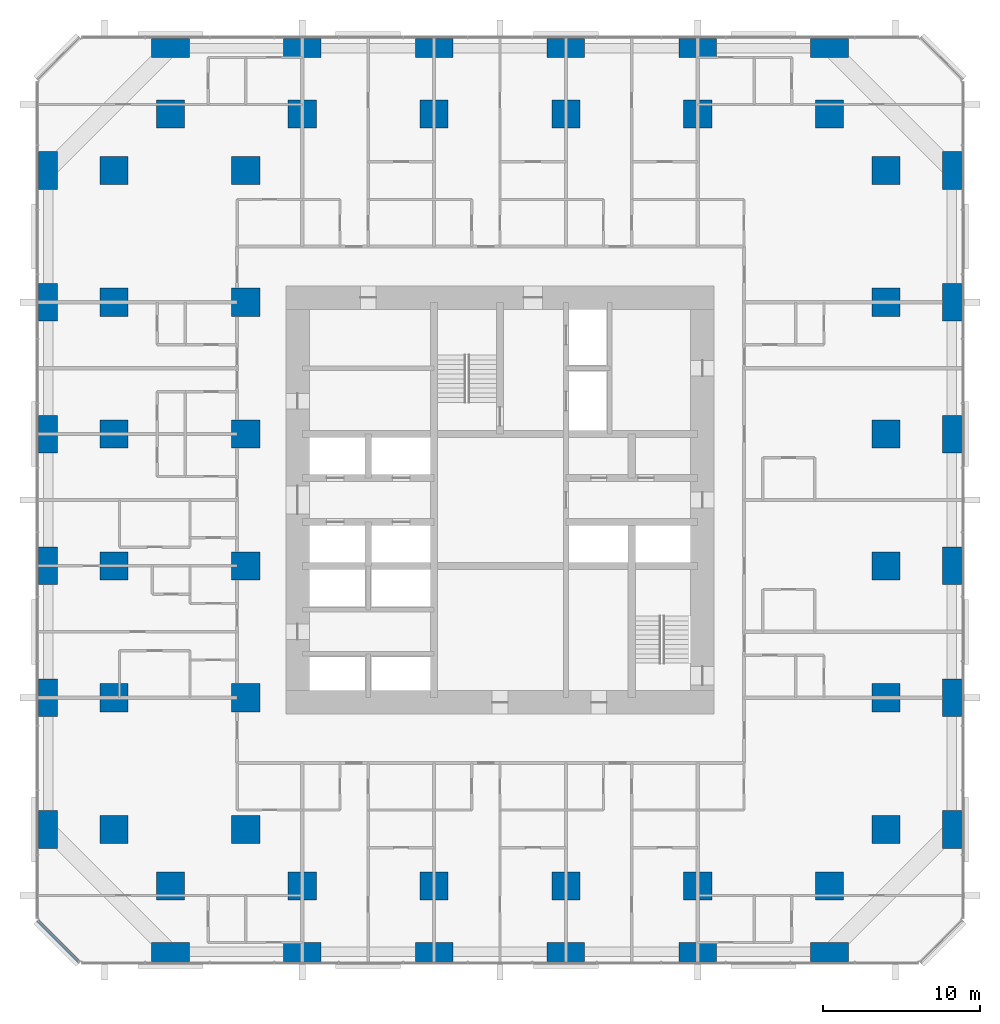
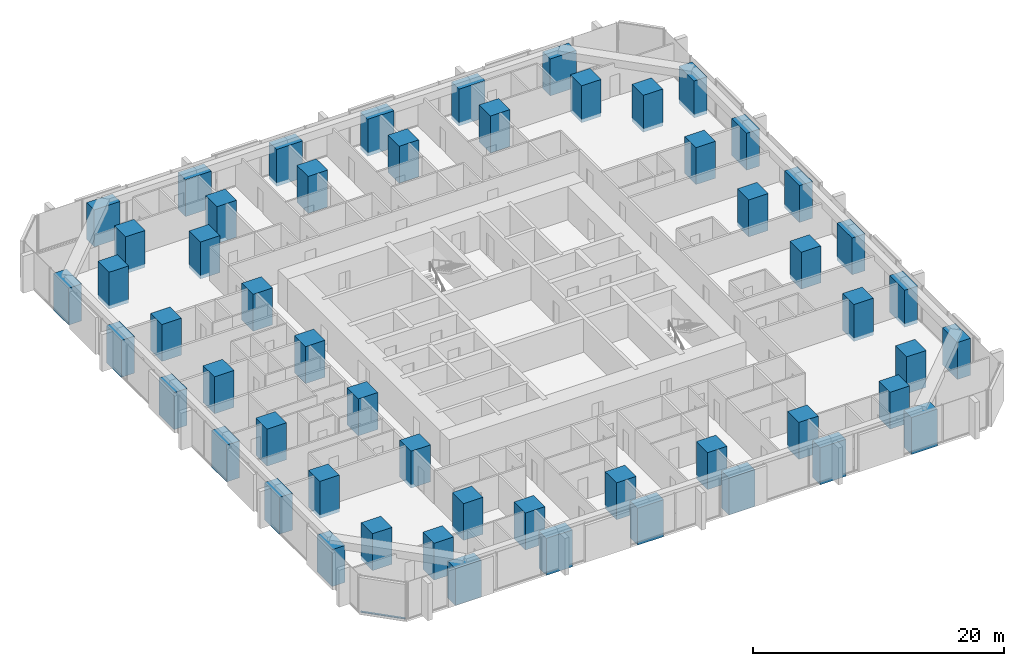
# One storey, part 1 of 17: 54 columns, 1 member, 1 element without a shape of its own.
"""IFC4 building model written with IfcOpenShell, lengths in metres."""

import ifcopenshell
import ifcopenshell.guid

model = None  # the IFC model being written
_history = None  # IfcOwnerHistory: only IFC2X3 demands one
_inside = {}  # id of a spatial element -> (the spatial element, [elements in it])
_under = {}  # id of a project, library or spatial element -> (it, [spatial elements below it])
_declared = {}  # id of a project -> (the project, [libraries it declares])
_typed = {}  # id of a type object -> (the type object, [elements of that type])
_made_of = {}  # id of a material, layer set ... -> (it, [elements and type objects made of it])


def new_model(schema):
    """Start an empty IFC model of exactly this schema.

    Asked for "IFC4X3", IfcOpenShell would pick the latest addendum, in which some entities
    have other attributes; the version numbers below select the first issue.
    IFC2X3 requires an IfcOwnerHistory on every rooted entity: one is made here for all.
    """
    global model, _history
    if schema == "IFC4X3":
        model = ifcopenshell.file(schema_version=(4, 3, 0, 0))
    else:
        model = ifcopenshell.file(schema=schema)
    _inside.clear()
    _under.clear()
    _declared.clear()
    _typed.clear()
    _made_of.clear()
    _history = None
    if model.schema == "IFC2X3":
        org = make("IfcOrganization", Name="unknown")
        user = make(
            "IfcPersonAndOrganization",
            ThePerson=make("IfcPerson", FamilyName="unknown"),
            TheOrganization=org,
        )
        app = make(
            "IfcApplication",
            ApplicationDeveloper=org,
            Version="unknown",
            ApplicationFullName="unknown",
            ApplicationIdentifier="unknown",
        )
        _history = make(
            "IfcOwnerHistory",
            OwningUser=user,
            OwningApplication=app,
            ChangeAction="ADDED",
            CreationDate=0,
        )
    return model


def make(cls, **values):
    """One entity of the class cls with the attributes given. An attribute that is None is left unset."""
    return model.create_entity(
        cls, **{name: value for name, value in values.items() if value is not None}
    )


def rooted(cls, **values):
    """An entity with a GlobalId (a new one), such as an element, a storey or a relation."""
    return make(cls, GlobalId=ifcopenshell.guid.new(), OwnerHistory=_history, **values)


def si_unit(unit_type, name, prefix=None):
    """IfcSIUnit, for example si_unit("LENGTHUNIT", "METRE", prefix="MILLI")."""
    return make("IfcSIUnit", UnitType=unit_type, Prefix=prefix, Name=name)


def assignment(units):
    """IfcUnitAssignment: the units of a project."""
    return None if units is None else make("IfcUnitAssignment", Units=units)


def point(xyz):
    """IfcCartesianPoint."""
    return None if xyz is None else make("IfcCartesianPoint", Coordinates=xyz)


def direction(xyz):
    """IfcDirection."""
    return None if xyz is None else make("IfcDirection", DirectionRatios=xyz)


def frame(location, z_axis=None, x_axis=None):
    """IfcAxis2Placement3D, a coordinate frame: its origin and axes. An axis left out is left unset."""
    return make(
        "IfcAxis2Placement3D",
        Location=point(location),
        Axis=direction(z_axis),
        RefDirection=direction(x_axis),
    )


def frame_2d(location, x_axis=None):
    """IfcAxis2Placement2D, a coordinate frame in the plane: its origin and x axis."""
    return make(
        "IfcAxis2Placement2D", Location=point(location), RefDirection=direction(x_axis)
    )


def origin():
    """The frame at (0, 0, 0) with its axes left unset."""
    return frame((0.0, 0.0, 0.0))


def origin_2d():
    """The frame at (0, 0) in the plane with its x axis left unset."""
    return frame_2d((0.0, 0.0))


def place(relative_to, where):
    """IfcLocalPlacement: puts the frame where relative to a parent placement (None: the world)."""
    return make(
        "IfcLocalPlacement", PlacementRelTo=relative_to, RelativePlacement=where
    )


def context(
    kind, dimensions, precision=None, world=None, true_north=None, identifier=None
):
    """IfcGeometricRepresentationContext, for example the 3D "Model" context."""
    return make(
        "IfcGeometricRepresentationContext",
        ContextIdentifier=identifier,
        ContextType=kind,
        CoordinateSpaceDimension=dimensions,
        Precision=precision,
        WorldCoordinateSystem=world,
        TrueNorth=true_north,
    )


def subcontext(parent, identifier, kind, view, scale=None):
    """IfcGeometricRepresentationSubContext, for example "Body" below "Model"."""
    return make(
        "IfcGeometricRepresentationSubContext",
        ContextIdentifier=identifier,
        ContextType=kind,
        ParentContext=parent,
        TargetScale=scale,
        TargetView=view,
    )


def project(units=None, contexts=None):
    """IfcProject with its units and contexts."""
    return rooted(
        "IfcProject",
        Name="project",
        RepresentationContexts=contexts,
        UnitsInContext=assignment(units),
    )


def spatial(cls, under=None, at=None, **own):
    """A site, building, storey or space (cls), placed at a placement, below another one or the project."""
    s = rooted(cls, ObjectPlacement=at, **own)
    if under is not None:
        _under.setdefault(under.id(), (under, []))[1].append(s)
    return s


def profile(cls, at=None, kind="AREA", **sizes):
    """A parametric profile (cls). Its sizes go by their IFC names, for example OverallWidth=200.0."""
    return make(cls, ProfileType=kind, Position=at, **sizes)


def rectangle(**sizes):
    """IfcRectangleProfileDef."""
    return profile("IfcRectangleProfileDef", **sizes)


def extrude(swept, where, along, depth):
    """IfcExtrudedAreaSolid: the profile swept, set in the frame where, extruded along a direction by depth."""
    return make(
        "IfcExtrudedAreaSolid",
        SweptArea=swept,
        Position=where,
        ExtrudedDirection=direction(along),
        Depth=depth,
    )


def shape(context_of_items, identifier, shape_type, items):
    """IfcShapeRepresentation: the items that make up one representation, for example the "Body"."""
    return make(
        "IfcShapeRepresentation",
        ContextOfItems=context_of_items,
        RepresentationIdentifier=identifier,
        RepresentationType=shape_type,
        Items=items,
    )


def material(Name=None, Category=None):
    """IfcMaterial."""
    return make("IfcMaterial", Name=Name, Category=Category)


def material_profile(
    of_material, cross_section, Name=None, Category=None, Priority=None
):
    """IfcMaterialProfile: a cross section and its material."""
    return make(
        "IfcMaterialProfile",
        Name=Name,
        Material=of_material,
        Profile=cross_section,
        Priority=Priority,
        Category=Category,
    )


def profile_set(profiles, Name=None, composite=None):
    """IfcMaterialProfileSet."""
    return make(
        "IfcMaterialProfileSet",
        Name=Name,
        MaterialProfiles=profiles,
        CompositeProfile=composite,
    )


def made_of(thing, what):
    """Note that an element or type object is made of a material, layer set ...; save() writes the relation."""
    if what is not None:
        _made_of.setdefault(what.id(), (what, []))[1].append(thing)
    return thing


def type_object(cls, material=None, **own):
    """A type object (cls), such as IfcWallType, which elements share."""
    return made_of(rooted(cls, **own), material)


def element(
    cls,
    number,
    at=None,
    inside=None,
    cuts=None,
    type_object=None,
    material=None,
    context=None,
    identifier="Body",
    shape_type=None,
    held_by="IfcProductDefinitionShape",
    body=None,
    shapes=None,
    **own,
):
    """One element of the class cls, such as IfcWall. Its Tag is "e" and its number.

    at: its placement. inside: the storey or other place that contains it. cuts: it is an
    opening in that element (IfcRelVoidsElement). A single representation is given by context,
    identifier, shape_type and body (its items); several are given by shapes. held_by: the class
    of the entity that holds the representations. save() writes the other relations.
    """
    e = rooted(cls, Tag="e%d" % number, ObjectPlacement=at, **own)
    if body is not None:
        shapes = [shape(context, identifier, shape_type, body)]
    if shapes is not None:
        e.Representation = make(held_by, Representations=shapes)
    if inside is not None:
        _inside.setdefault(inside.id(), (inside, []))[1].append(e)
    if cuts is not None:
        rooted(
            "IfcRelVoidsElement", RelatingBuildingElement=cuts, RelatedOpeningElement=e
        )
    if type_object is not None:
        _typed.setdefault(type_object.id(), (type_object, []))[1].append(e)
    return made_of(e, material)


def aggregate(whole, parts):
    """IfcRelAggregates: a whole, such as a stair, and the parts it consists of."""
    return rooted("IfcRelAggregates", RelatingObject=whole, RelatedObjects=parts)


def save(model, path):
    """Write the relations noted so far, then the file.

    IfcRelAggregates (storeys below a building ...), IfcRelContainedInSpatialStructure (elements
    in a storey), IfcRelDefinesByType, IfcRelAssociatesMaterial and IfcRelDeclares: one each for
    every whole, place, type object, material and project.
    """
    for whole, parts in _under.values():
        aggregate(whole, parts)
    for where, things in _inside.values():
        rooted(
            "IfcRelContainedInSpatialStructure",
            RelatedElements=things,
            RelatingStructure=where,
        )
    for kind, things in _typed.values():
        rooted("IfcRelDefinesByType", RelatedObjects=things, RelatingType=kind)
    for what, things in _made_of.values():
        rooted("IfcRelAssociatesMaterial", RelatedObjects=things, RelatingMaterial=what)
    for by, libraries in _declared.values():
        rooted("IfcRelDeclares", RelatingContext=by, RelatedDefinitions=libraries)
    model.write(path)


model = new_model("IFC4")

# Units and contexts
model_context = context("Model", 3, precision=1e-05, world=origin(), true_north=direction((0.0, 1.0)))
body_context = subcontext(model_context, "Body", "Model", "MODEL_VIEW")
ifc_project = project(units=[si_unit("LENGTHUNIT", "METRE"), si_unit("AREAUNIT", "SQUARE_METRE"), si_unit("VOLUMEUNIT", "CUBIC_METRE"), si_unit("PLANEANGLEUNIT", "RADIAN"), si_unit("MASSUNIT", "GRAM", prefix="KILO")], contexts=[model_context])

# Site, building, storey
site_placement = place(None, origin())
site = spatial("IfcSite", under=ifc_project, at=site_placement, CompositionType="ELEMENT")
building_placement = place(site_placement, origin())
building = spatial("IfcBuilding", under=site, at=building_placement, Name="Dunama Terrace Hotel", CompositionType="ELEMENT")
storey_placement = place(building_placement, frame((0.0, 0.0, 52.199951171875)))
storey = spatial("IfcBuildingStorey", under=building, at=storey_placement, Name="L12", CompositionType="ELEMENT", Elevation=52.199951171875)

# Columns
ifc_material_1 = material(Name="Concrete C60/75", Category="concrete")
ifc_material_profile_1 = material_profile(ifc_material_1, rectangle(XDim=1.199951171875, YDim=2.39990234375, at=origin_2d()), Name="RC 1200x2400")
ifc_profile_set_1 = profile_set([ifc_material_profile_1], Name="Concrete C60/75")
column_type_1 = type_object("IfcColumnType", Name="Column RC 1200x2400", PredefinedType="COLUMN", material=ifc_profile_set_1)
for number, where, z_axis, x_axis, name in (
    (1, (0.60009765625, 8.39990234375, -0.349853515625), (0.0, 0.0, 1.0), (1.0, 0.0, 0.0), "Column L12 +0.6/+8.4"),
    (2, (0.60009765625, 16.800048828125, -0.349853515625), (0.0, 0.0, 1.0), (1.0, 0.0, 0.0), "Column L12 +0.6/+16.8"),
    (3, (0.60009765625, 25.199951171875, -0.349853515625), (0.0, 0.0, 1.0), (1.0, 0.0, 0.0), "Column L12 +0.6/+25.2"),
    (4, (0.60009765625, 33.60009765625, -0.349853515625), (0.0, 0.0, 1.0), (1.0, 0.0, 0.0), "Column L12 +0.6/+33.6"),
    (5, (0.60009765625, 42.0, -0.349853515625), (0.0, 0.0, 1.0), (1.0, 0.0, 0.0), "Column L12 +0.6/+42.0"),
    (6, (0.60009765625, 50.39990234375, -0.349853515625), (0.0, 0.0, 1.0), (1.0, 0.0, 0.0), "Column L12 +0.6/+50.4"),
    (7, (58.199951171875, 8.39990234375, -0.349853515625), (0.0, 0.0, 1.0), (1.0, 0.0, 0.0), "Column L12 +58.2/+8.4"),
    (8, (58.199951171875, 16.800048828125, -0.349853515625), (0.0, 0.0, 1.0), (1.0, 0.0, 0.0), "Column L12 +58.2/+16.8"),
    (9, (58.199951171875, 25.199951171875, -0.349853515625), (0.0, 0.0, 1.0), (1.0, 0.0, 0.0), "Column L12 +58.2/+25.2"),
    (10, (58.199951171875, 33.60009765625, -0.349853515625), (0.0, 0.0, 1.0), (1.0, 0.0, 0.0), "Column L12 +58.2/+33.6"),
    (11, (58.199951171875, 42.0, -0.349853515625), (0.0, 0.0, 1.0), (1.0, 0.0, 0.0), "Column L12 +58.2/+42.0"),
    (12, (58.199951171875, 50.39990234375, -0.349853515625), (0.0, 0.0, 1.0), (1.0, 0.0, 0.0), "Column L12 +58.2/+50.4"),
):
    element("IfcColumn", number, at=place(storey_placement, frame(where, z_axis=z_axis, x_axis=x_axis)), inside=storey, type_object=column_type_1, Name=name, PredefinedType="COLUMN", context=body_context, shape_type="SweptSolid", body=[
        extrude(rectangle(XDim=1.199951171875, YDim=2.39990234375, at=origin_2d()), origin(), (0.0, 0.0, 1.0), 3.599853515625),
    ])
ifc_material_2 = material(Name="Concrete C60/75", Category="concrete")
ifc_material_profile_2 = material_profile(ifc_material_2, rectangle(XDim=1.800048828125, YDim=1.800048828125, at=origin_2d()), Name="RC 1800x1800")
ifc_profile_set_2 = profile_set([ifc_material_profile_2], Name="Concrete C60/75")
column_type_2 = type_object("IfcColumnType", Name="Column RC 1800x1800", PredefinedType="COLUMN", material=ifc_profile_set_2)
for number, where, z_axis, x_axis, name in (
    (13, (4.800048828125, 8.39990234375, -0.349853515625), (0.0, 0.0, 1.0), (1.0, 0.0, 0.0), "Column L12 +4.8/+8.4"),
    (14, (4.800048828125, 16.800048828125, -0.349853515625), (0.0, 0.0, 1.0), (1.0, 0.0, 0.0), "Column L12 +4.8/+16.8"),
    (15, (4.800048828125, 25.199951171875, -0.349853515625), (0.0, 0.0, 1.0), (1.0, 0.0, 0.0), "Column L12 +4.8/+25.2"),
    (16, (4.800048828125, 33.60009765625, -0.349853515625), (0.0, 0.0, 1.0), (1.0, 0.0, 0.0), "Column L12 +4.8/+33.6"),
    (17, (4.800048828125, 42.0, -0.349853515625), (0.0, 0.0, 1.0), (1.0, 0.0, 0.0), "Column L12 +4.8/+42.0"),
    (18, (4.800048828125, 50.39990234375, -0.349853515625), (0.0, 0.0, 1.0), (1.0, 0.0, 0.0), "Column L12 +4.8/+50.4"),
    (19, (8.39990234375, 4.800048828125, -0.349853515625), (0.0, 0.0, 1.0), (1.0, 0.0, 0.0), "Column L12 +8.4/+4.8"),
    (20, (8.39990234375, 54.0, -0.349853515625), (0.0, 0.0, 1.0), (1.0, 0.0, 0.0), "Column L12 +8.4/+54.0"),
    (21, (13.199951171875, 8.39990234375, -0.349853515625), (0.0, 0.0, 1.0), (1.0, 0.0, 0.0), "Column L12 +13.2/+8.4"),
    (22, (13.199951171875, 16.800048828125, -0.349853515625), (0.0, 0.0, 1.0), (1.0, 0.0, 0.0), "Column L12 +13.2/+16.8"),
    (23, (13.199951171875, 25.199951171875, -0.349853515625), (0.0, 0.0, 1.0), (1.0, 0.0, 0.0), "Column L12 +13.2/+25.2"),
    (24, (13.199951171875, 33.60009765625, -0.349853515625), (0.0, 0.0, 1.0), (1.0, 0.0, 0.0), "Column L12 +13.2/+33.6"),
    (25, (13.199951171875, 42.0, -0.349853515625), (0.0, 0.0, 1.0), (1.0, 0.0, 0.0), "Column L12 +13.2/+42.0"),
    (26, (13.199951171875, 50.39990234375, -0.349853515625), (0.0, 0.0, 1.0), (1.0, 0.0, 0.0), "Column L12 +13.2/+50.4"),
    (27, (16.800048828125, 4.800048828125, -0.349853515625), (0.0, 0.0, 1.0), (1.0, 0.0, 0.0), "Column L12 +16.8/+4.8"),
    (28, (16.800048828125, 54.0, -0.349853515625), (0.0, 0.0, 1.0), (1.0, 0.0, 0.0), "Column L12 +16.8/+54.0"),
    (29, (25.199951171875, 4.800048828125, -0.349853515625), (0.0, 0.0, 1.0), (1.0, 0.0, 0.0), "Column L12 +25.2/+4.8"),
    (30, (25.199951171875, 54.0, -0.349853515625), (0.0, 0.0, 1.0), (1.0, 0.0, 0.0), "Column L12 +25.2/+54.0"),
    (31, (33.60009765625, 4.800048828125, -0.349853515625), (0.0, 0.0, 1.0), (1.0, 0.0, 0.0), "Column L12 +33.6/+4.8"),
    (32, (33.60009765625, 54.0, -0.349853515625), (0.0, 0.0, 1.0), (1.0, 0.0, 0.0), "Column L12 +33.6/+54.0"),
    (33, (42.0, 4.800048828125, -0.349853515625), (0.0, 0.0, 1.0), (1.0, 0.0, 0.0), "Column L12 +42.0/+4.8"),
    (34, (42.0, 54.0, -0.349853515625), (0.0, 0.0, 1.0), (1.0, 0.0, 0.0), "Column L12 +42.0/+54.0"),
    (35, (50.39990234375, 4.800048828125, -0.349853515625), (0.0, 0.0, 1.0), (1.0, 0.0, 0.0), "Column L12 +50.4/+4.8"),
    (36, (50.39990234375, 54.0, -0.349853515625), (0.0, 0.0, 1.0), (1.0, 0.0, 0.0), "Column L12 +50.4/+54.0"),
    (37, (54.0, 8.39990234375, -0.349853515625), (0.0, 0.0, 1.0), (1.0, 0.0, 0.0), "Column L12 +54.0/+8.4"),
    (38, (54.0, 16.800048828125, -0.349853515625), (0.0, 0.0, 1.0), (1.0, 0.0, 0.0), "Column L12 +54.0/+16.8"),
    (39, (54.0, 25.199951171875, -0.349853515625), (0.0, 0.0, 1.0), (1.0, 0.0, 0.0), "Column L12 +54.0/+25.2"),
    (40, (54.0, 33.60009765625, -0.349853515625), (0.0, 0.0, 1.0), (1.0, 0.0, 0.0), "Column L12 +54.0/+33.6"),
    (41, (54.0, 42.0, -0.349853515625), (0.0, 0.0, 1.0), (1.0, 0.0, 0.0), "Column L12 +54.0/+42.0"),
    (42, (54.0, 50.39990234375, -0.349853515625), (0.0, 0.0, 1.0), (1.0, 0.0, 0.0), "Column L12 +54.0/+50.4"),
):
    element("IfcColumn", number, at=place(storey_placement, frame(where, z_axis=z_axis, x_axis=x_axis)), inside=storey, type_object=column_type_2, Name=name, PredefinedType="COLUMN", context=body_context, shape_type="SweptSolid", body=[
        extrude(rectangle(XDim=1.800048828125, YDim=1.800048828125, at=origin_2d()), origin(), (0.0, 0.0, 1.0), 3.599853515625),
    ])
ifc_material_3 = material(Name="Concrete C60/75", Category="concrete")
ifc_material_profile_3 = material_profile(ifc_material_3, rectangle(XDim=2.39990234375, YDim=1.199951171875, at=origin_2d()), Name="RC 2400x1200")
ifc_profile_set_3 = profile_set([ifc_material_profile_3], Name="Concrete C60/75")
column_type_3 = type_object("IfcColumnType", Name="Column RC 2400x1200", PredefinedType="COLUMN", material=ifc_profile_set_3)
for number, where, z_axis, x_axis, name in (
    (43, (8.39990234375, 0.60009765625, -0.349853515625), (0.0, 0.0, 1.0), (1.0, 0.0, 0.0), "Column L12 +8.4/+0.6"),
    (44, (8.39990234375, 58.199951171875, -0.349853515625), (0.0, 0.0, 1.0), (1.0, 0.0, 0.0), "Column L12 +8.4/+58.2"),
    (45, (16.800048828125, 0.60009765625, -0.349853515625), (0.0, 0.0, 1.0), (1.0, 0.0, 0.0), "Column L12 +16.8/+0.6"),
    (46, (16.800048828125, 58.199951171875, -0.349853515625), (0.0, 0.0, 1.0), (1.0, 0.0, 0.0), "Column L12 +16.8/+58.2"),
    (47, (25.199951171875, 0.60009765625, -0.349853515625), (0.0, 0.0, 1.0), (1.0, 0.0, 0.0), "Column L12 +25.2/+0.6"),
    (48, (25.199951171875, 58.199951171875, -0.349853515625), (0.0, 0.0, 1.0), (1.0, 0.0, 0.0), "Column L12 +25.2/+58.2"),
    (49, (33.60009765625, 0.60009765625, -0.349853515625), (0.0, 0.0, 1.0), (1.0, 0.0, 0.0), "Column L12 +33.6/+0.6"),
    (50, (33.60009765625, 58.199951171875, -0.349853515625), (0.0, 0.0, 1.0), (1.0, 0.0, 0.0), "Column L12 +33.6/+58.2"),
    (51, (42.0, 0.60009765625, -0.349853515625), (0.0, 0.0, 1.0), (1.0, 0.0, 0.0), "Column L12 +42.0/+0.6"),
    (52, (42.0, 58.199951171875, -0.349853515625), (0.0, 0.0, 1.0), (1.0, 0.0, 0.0), "Column L12 +42.0/+58.2"),
    (53, (50.39990234375, 0.60009765625, -0.349853515625), (0.0, 0.0, 1.0), (1.0, 0.0, 0.0), "Column L12 +50.4/+0.6"),
    (54, (50.39990234375, 58.199951171875, -0.349853515625), (0.0, 0.0, 1.0), (1.0, 0.0, 0.0), "Column L12 +50.4/+58.2"),
):
    element("IfcColumn", number, at=place(storey_placement, frame(where, z_axis=z_axis, x_axis=x_axis)), inside=storey, type_object=column_type_3, Name=name, PredefinedType="COLUMN", context=body_context, shape_type="SweptSolid", body=[
        extrude(rectangle(XDim=2.39990234375, YDim=1.199951171875, at=origin_2d()), origin(), (0.0, 0.0, 1.0), 3.599853515625),
    ])

# Curtain wall, member
ifc_material_4 = material(Name="Aluminium curtain wall system", Category="aluminium")
curtain_wall_type = type_object("IfcCurtainWallType", Name="Unitised fritted glass wall CW-A", PredefinedType="NOTDEFINED", material=ifc_material_4)
curtain_wall_placement = place(storey_placement, origin())
curtain_wall = element("IfcCurtainWall", 55, at=curtain_wall_placement, inside=storey, type_object=curtain_wall_type, Name="Unitised fritted glass wall CW-A L12", PredefinedType="NOTDEFINED")
ifc_material_5 = material(Name="Aluminium transom", Category="aluminium")
ifc_material_profile_4 = material_profile(ifc_material_5, rectangle(XDim=0.179931640625, YDim=0.074951171875, at=origin_2d()), Name="CWA TRANSOM 180X75")
ifc_profile_set_4 = profile_set([ifc_material_profile_4], Name="Aluminium transom")
member_type = type_object("IfcMemberType", Name="CWA transom 180x75", PredefinedType="USERDEFINED", material=ifc_profile_set_4)
member_placement = place(storey_placement, frame((-0.02490234375, 2.5830078125, 0.03759765625), z_axis=(0.707106781187, -0.707106781187, 0.0), x_axis=(0.707106781187, 0.707106781187, 0.0)))
member = element("IfcMember", 56, at=member_placement, type_object=member_type, Name="CWA transom", ObjectType="TRANSOM", PredefinedType="USERDEFINED", context=body_context, shape_type="SweptSolid", body=[
    extrude(rectangle(XDim=0.179931640625, YDim=0.074951171875, at=origin_2d()), origin(), (0.0, 0.0, 1.0), 3.688232421875),
])
aggregate(curtain_wall, [member])

save(model, "model.ifc")
